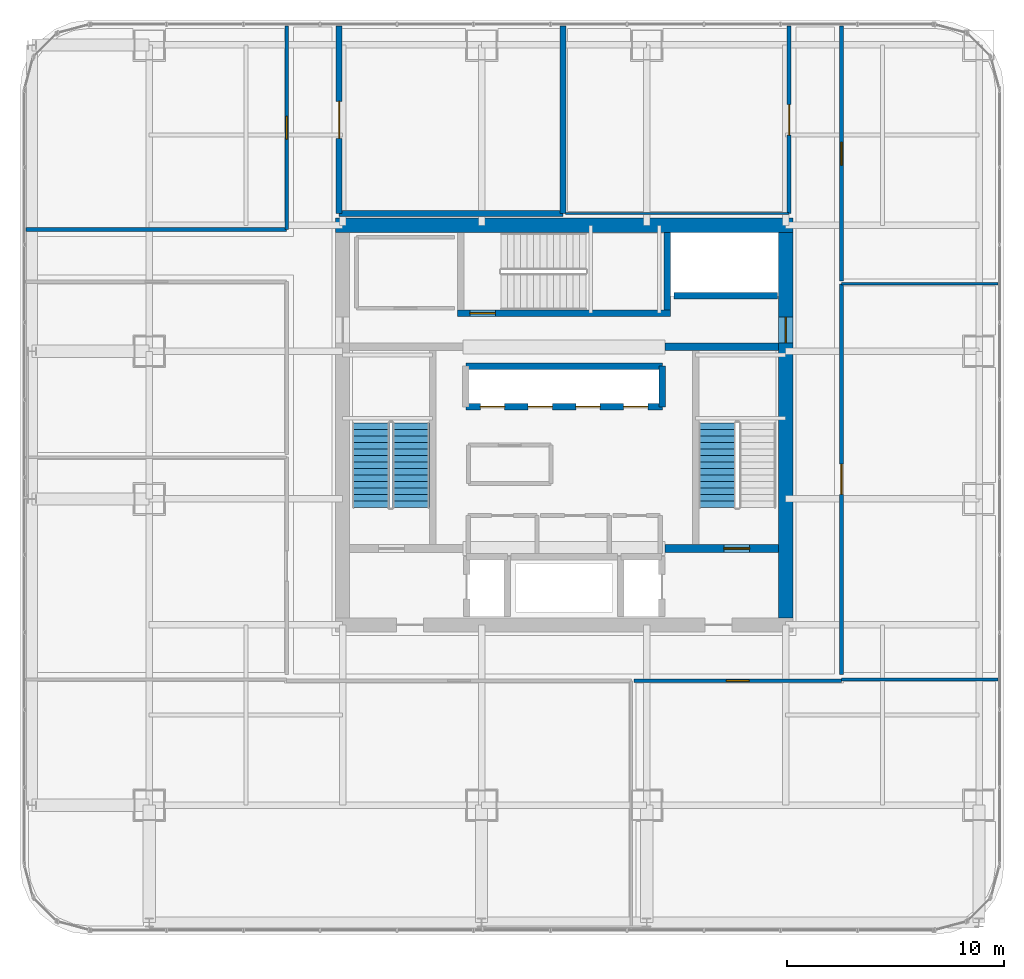
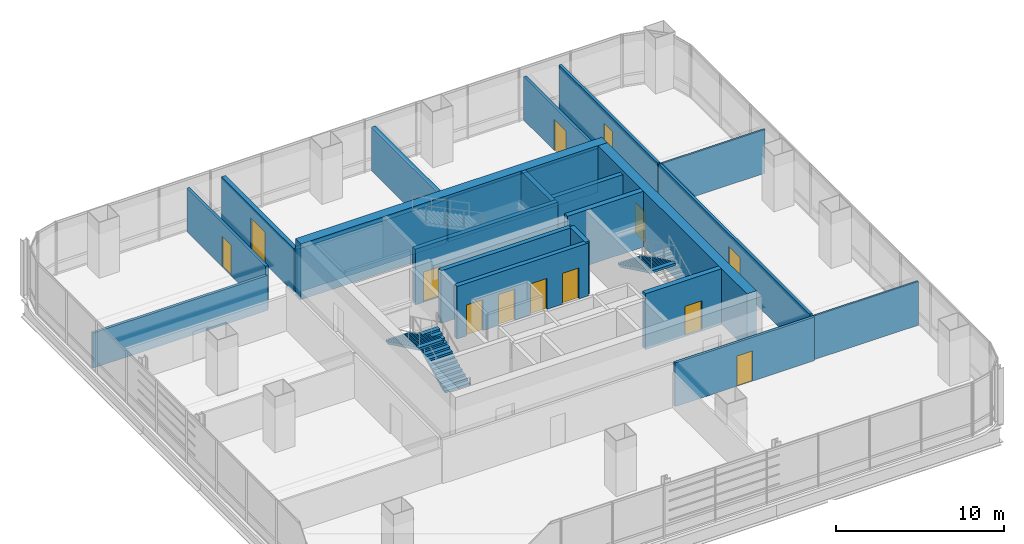
# One storey, part 30 of 36: 22 walls, 13 doors, 3 stair flights, 13 openings, 2 elements without a shape of their own.
"""IFC4 building model written with IfcOpenShell, lengths in metres."""

from ifc_helpers import new_model, si_unit, direction, frame, frame_2d, origin, place, context, subcontext, project, spatial, polyline, rectangle, outline, extrude, material, layer, layer_set, type_object, element, fill, aggregate, save


model = new_model("IFC4")

# Units and contexts
model_context = context("Model", 3, precision=1e-05, world=origin(), true_north=direction((0.0, 1.0)))
body_context = subcontext(model_context, "Body", "Model", "MODEL_VIEW")
ifc_project = project(units=[si_unit("LENGTHUNIT", "METRE"), si_unit("AREAUNIT", "SQUARE_METRE"), si_unit("VOLUMEUNIT", "CUBIC_METRE"), si_unit("PLANEANGLEUNIT", "RADIAN"), si_unit("MASSUNIT", "GRAM", prefix="KILO")], contexts=[model_context])

# Site, building, storey
site_placement = place(None, origin())
site = spatial("IfcSite", under=ifc_project, at=site_placement, CompositionType="ELEMENT")
building_placement = place(site_placement, origin())
building = spatial("IfcBuilding", under=site, at=building_placement, Name="Punatoya Terracotta Tower", CompositionType="ELEMENT")
storey_placement = place(building_placement, frame((0.0, 0.0, 184.35009765625)))
storey = spatial("IfcBuildingStorey", under=building, at=storey_placement, Name="L43", CompositionType="ELEMENT", Elevation=184.35009765625)

# Walls
ifc_material_1 = material(Name="Concrete C40/50", Category="concrete")
ifc_layer_1 = layer(ifc_material_1, 0.280029296875)
ifc_layer_set_1 = layer_set([ifc_layer_1], Name="Concrete C40/50")
wall_type_1 = type_object("IfcWallType", Name="WL-AUD-280", PredefinedType="SOLIDWALL", material=ifc_layer_set_1)
wall_1_placement = place(storey_placement, frame((-0.06005859375, 18.3701171875, 0.0), z_axis=(0.0, 0.0, 1.0), x_axis=(0.0, -1.0, 0.0)))
element("IfcWall", 1, at=wall_1_placement, inside=storey, type_object=wall_type_1, Name="L43 Open-Plan Fitness Movement Lounge Partition 29", PredefinedType="SOLIDWALL", context=body_context, shape_type="SweptSolid", body=[
    extrude(rectangle(XDim=8.630126953125, YDim=0.280029296875, at=frame_2d((4.31494140625, 0.0))), origin(), (0.0, 0.0, 1.0), 3.173828125),
])
wall_2_placement = place(storey_placement, frame((-0.06005859375, 9.739990234375, 0.0), z_axis=(0.0, 0.0, 1.0), x_axis=(-1.0, 0.0, 0.0)))
element("IfcWall", 2, at=wall_2_placement, inside=storey, type_object=wall_type_1, Name="L43 Open-Plan Fitness Movement Lounge Partition 30", PredefinedType="SOLIDWALL", context=body_context, shape_type="SweptSolid", body=[
    extrude(rectangle(XDim=10.300048828125, YDim=0.280029296875, at=frame_2d((5.14990234375, 0.0))), origin(), (0.0, 0.0, 1.0), 3.173828125),
])

# Wall, opening, door
wall_3_placement = place(storey_placement, frame((-10.360107421875, 9.739990234375, 0.0), z_axis=(0.0, 0.0, 1.0), x_axis=(0.0, 1.0, 0.0)))
wall_3 = element("IfcWall", 3, at=wall_3_placement, inside=storey, type_object=wall_type_1, Name="L43 Open-Plan Fitness Movement Lounge Partition 31", PredefinedType="SOLIDWALL", context=body_context, shape_type="SweptSolid", body=[
    extrude(rectangle(XDim=8.630126953125, YDim=0.280029296875, at=frame_2d((4.31494140625, 0.0))), origin(), (0.0, 0.0, 1.0), 3.173828125),
])
opening_1_placement = place(wall_3_placement, frame((3.465087890625, 0.0, 0.0)))
opening_1 = element("IfcOpeningElement", 4, at=opening_1_placement, cuts=wall_3, Name="Opening FD-D1", PredefinedType="OPENING", context=body_context, shape_type="SweptSolid", body=[
    extrude(rectangle(XDim=1.699951171875, YDim=2.300048828125, at=frame_2d((0.85009765625, 1.14990234375))), frame((0.0, 0.14990234375, 0.0), z_axis=(0.0, -1.0, 0.0), x_axis=(1.0, 0.0, 0.0)), (0.0, 0.0, 1.0), 0.300048828125),
])
ifc_material_2 = material(Name="Timber Teak Veneer Fire Leaf", Category="wood")
door_type_1 = type_object("IfcDoorType", Name="DR-DIN-1700", OperationType="NOTDEFINED", PredefinedType="DOOR", material=ifc_material_2)
door_1_placement = place(opening_1_placement, origin())
door_1 = element("IfcDoor", 5, at=door_1_placement, inside=storey, type_object=door_type_1, Name="L43 Open-Plan Fitness Movement Lounge Fire Door", OperationType="DOUBLE_DOOR_SINGLE_SWING", OverallHeight=2.300048828125, OverallWidth=1.699951171875, PredefinedType="DOOR", context=body_context, shape_type="SweptSolid", body=[
    extrude(rectangle(XDim=1.699951171875, YDim=2.300048828125, at=frame_2d((0.85009765625, 1.14990234375))), frame((0.0, 0.02490234375, 0.0), z_axis=(0.0, -1.0, 0.0), x_axis=(1.0, 0.0, 0.0)), (0.0, 0.0, 1.0), 0.050048828125),
])
fill(opening_1, door_1)

# Wall
ifc_material_3 = material(Name="Concrete C60/75", Category="concrete")
ifc_layer_2 = layer(ifc_material_3, 0.64990234375)
ifc_layer_set_2 = layer_set([ifc_layer_2], Name="Concrete C60/75")
wall_type_2 = type_object("IfcWallType", Name="WL-COR-650", PredefinedType="SHEAR", material=ifc_layer_set_2)
wall_4_placement = place(storey_placement, frame((-10.52490234375, 9.199951171875, 0.0), z_axis=(0.0, 0.0, 1.0), x_axis=(1.0, 0.0, 0.0)))
element("IfcWall", 6, at=wall_4_placement, inside=storey, type_object=wall_type_2, Name="L43 Core Shear Wall N", PredefinedType="SHEAR", context=body_context, shape_type="SweptSolid", body=[
    extrude(rectangle(XDim=21.0498046875, YDim=0.64990234375, at=frame_2d((10.52490234375, 0.0))), origin(), (0.0, 0.0, 1.0), 4.0498046875),
])

# Wall, opening, door
wall_5_placement = place(storey_placement, frame((10.199951171875, 8.875, 0.0), z_axis=(0.0, 0.0, 1.0), x_axis=(0.0, -1.0, 0.0)))
wall_5 = element("IfcWall", 7, at=wall_5_placement, inside=storey, type_object=wall_type_2, Name="L43 Core Shear Wall E", PredefinedType="SHEAR", context=body_context, shape_type="SweptSolid", body=[
    extrude(rectangle(XDim=17.75, YDim=0.64990234375, at=frame_2d((8.875, 0.0))), origin(), (0.0, 0.0, 1.0), 4.0498046875),
])
opening_2_placement = place(wall_5_placement, frame((3.905029296875, 0.0, 0.0)))
opening_2 = element("IfcOpeningElement", 8, at=opening_2_placement, cuts=wall_5, Name="Opening SD-01", PredefinedType="OPENING", context=body_context, shape_type="SweptSolid", body=[
    extrude(rectangle(XDim=1.179931640625, YDim=2.199951171875, at=frame_2d((0.58984375, 1.10009765625))), frame((0.0, 0.3349609375, 0.0), z_axis=(0.0, -1.0, 0.0), x_axis=(1.0, 0.0, 0.0)), (0.0, 0.0, 1.0), 0.669921875),
])
ifc_material_4 = material(Name="Galvanised Steel Pressurized Stair Fire Door", Category="steel")
door_type_2 = type_object("IfcDoorType", Name="DR-STR-1180", OperationType="NOTDEFINED", PredefinedType="DOOR", material=ifc_material_4)
door_2_placement = place(opening_2_placement, origin())
door_2 = element("IfcDoor", 9, at=door_2_placement, inside=storey, type_object=door_type_2, Name="L43 Central Lift Lobby East Fire Door", OperationType="SINGLE_SWING_RIGHT", OverallHeight=2.199951171875, OverallWidth=1.179931640625, PredefinedType="DOOR", context=body_context, shape_type="SweptSolid", body=[
    extrude(rectangle(XDim=1.179931640625, YDim=2.199951171875, at=frame_2d((0.58984375, 1.10009765625))), frame((0.0, 0.02490234375, 0.0), z_axis=(0.0, -1.0, 0.0), x_axis=(1.0, 0.0, 0.0)), (0.0, 0.0, 1.0), 0.050048828125),
])
fill(opening_2, door_2)

ifc_material_5 = material(Name="Gypsum Fireboard + Steel Stud", Category="steel")
ifc_layer_3 = layer(ifc_material_5, 0.179931640625)
ifc_layer_set_3 = layer_set([ifc_layer_3], Name="Gypsum Fireboard + Steel Stud")
wall_type_3 = type_object("IfcWallType", Name="WL-CORR-180", PredefinedType="PARTITIONING", material=ifc_layer_set_3)
wall_6_placement = place(storey_placement, frame((3.216064453125, -11.77001953125, 0.0), z_axis=(0.0, 0.0, 1.0), x_axis=(1.0, 0.0, 0.0)))
wall_6 = element("IfcWall", 10, at=wall_6_placement, inside=storey, type_object=wall_type_3, Name="L43 Occupational Rest Lounge Partition 19", PredefinedType="PARTITIONING", context=body_context, shape_type="SweptSolid", body=[
    extrude(rectangle(XDim=9.553955078125, YDim=0.179931640625, at=frame_2d((4.77685546875, 0.0))), origin(), (0.0, 0.0, 1.0), 3.173828125),
])
opening_3_placement = place(wall_6_placement, frame((4.251953125, 0.0, 0.0)))
opening_3 = element("IfcOpeningElement", 11, at=opening_3_placement, cuts=wall_6, Name="Opening OD-01", PredefinedType="OPENING", context=body_context, shape_type="SweptSolid", body=[
    extrude(rectangle(XDim=1.050048828125, YDim=2.199951171875, at=frame_2d((0.52490234375, 1.10009765625))), frame((0.0, 0.099853515625, 0.0), z_axis=(0.0, -1.0, 0.0), x_axis=(1.0, 0.0, 0.0)), (0.0, 0.0, 1.0), 0.199951171875),
])
ifc_material_6 = material(Name="Bengal Teak Solid-Core Leaf")
door_type_3 = type_object("IfcDoorType", Name="DR-OFF-1050", OperationType="NOTDEFINED", PredefinedType="DOOR", material=ifc_material_6)
door_3_placement = place(opening_3_placement, origin())
door_3 = element("IfcDoor", 12, at=door_3_placement, inside=storey, type_object=door_type_3, Name="L43 Occupational Rest Lounge Door", OperationType="SINGLE_SWING_RIGHT", OverallHeight=2.199951171875, OverallWidth=1.050048828125, PredefinedType="DOOR", context=body_context, shape_type="SweptSolid", body=[
    extrude(rectangle(XDim=1.050048828125, YDim=2.199951171875, at=frame_2d((0.52490234375, 1.10009765625))), frame((0.0, 0.02490234375, 0.0), z_axis=(0.0, -1.0, 0.0), x_axis=(1.0, 0.0, 0.0)), (0.0, 0.0, 1.0), 0.050048828125),
])
fill(opening_3, door_3)

wall_7_placement = place(storey_placement, frame((12.77001953125, -11.489990234375, 0.0), z_axis=(0.0, 0.0, 1.0), x_axis=(0.0, 1.0, 0.0)))
wall_7 = element("IfcWall", 13, at=wall_7_placement, inside=storey, type_object=wall_type_3, Name="L43 Open-Plan Leadership Training Classroom Partition 23", PredefinedType="PARTITIONING", context=body_context, shape_type="SweptSolid", body=[
    extrude(rectangle(XDim=17.992919921875, YDim=0.179931640625, at=frame_2d((8.99658203125, 0.0))), origin(), (0.0, 0.0, 1.0), 3.173828125),
])
opening_4_placement = place(wall_7_placement, frame((8.29638671875, 0.0, 0.0)))
opening_4 = element("IfcOpeningElement", 14, at=opening_4_placement, cuts=wall_7, Name="Opening BD-01", PredefinedType="OPENING", context=body_context, shape_type="SweptSolid", body=[
    extrude(rectangle(XDim=1.39990234375, YDim=2.25, at=frame_2d((0.699951171875, 1.125))), frame((0.0, 0.099853515625, 0.0), z_axis=(0.0, -1.0, 0.0), x_axis=(1.0, 0.0, 0.0)), (0.0, 0.0, 1.0), 0.199951171875),
])
ifc_material_7 = material(Name="Bengal Teak Acoustic Leaf")
door_type_4 = type_object("IfcDoorType", Name="DR-BRD-1400", OperationType="NOTDEFINED", PredefinedType="DOOR", material=ifc_material_7)
door_4_placement = place(opening_4_placement, origin())
door_4 = element("IfcDoor", 15, at=door_4_placement, inside=storey, type_object=door_type_4, Name="L43 Open-Plan Leadership Training Classroom Door", OperationType="SINGLE_SWING_RIGHT", OverallHeight=2.25, OverallWidth=1.39990234375, PredefinedType="DOOR", context=body_context, shape_type="SweptSolid", body=[
    extrude(rectangle(XDim=1.39990234375, YDim=2.25, at=frame_2d((0.699951171875, 1.125))), frame((0.0, 0.02490234375, 0.0), z_axis=(0.0, -1.0, 0.0), x_axis=(1.0, 0.0, 0.0)), (0.0, 0.0, 1.0), 0.050048828125),
])
fill(opening_4, door_4)

wall_8_placement = place(storey_placement, frame((12.77001953125, 6.623046875, 0.0), z_axis=(0.0, 0.0, 1.0), x_axis=(0.0, 1.0, 0.0)))
wall_8 = element("IfcWall", 16, at=wall_8_placement, inside=storey, type_object=wall_type_3, Name="L43 Open-Plan Mindfulness Wellness Room Partition 26", PredefinedType="PARTITIONING", context=body_context, shape_type="SweptSolid", body=[
    extrude(rectangle(XDim=11.7470703125, YDim=0.179931640625, at=frame_2d((5.87353515625, 0.0))), origin(), (0.0, 0.0, 1.0), 3.173828125),
])
opening_5_placement = place(wall_8_placement, frame((5.348388671875, 0.0, 0.0)))
opening_5 = element("IfcOpeningElement", 17, at=opening_5_placement, cuts=wall_8, Name="Opening OD-01", PredefinedType="OPENING", context=body_context, shape_type="SweptSolid", body=[
    extrude(rectangle(XDim=1.050048828125, YDim=2.199951171875, at=frame_2d((0.52490234375, 1.10009765625))), frame((0.0, 0.099853515625, 0.0), z_axis=(0.0, -1.0, 0.0), x_axis=(1.0, 0.0, 0.0)), (0.0, 0.0, 1.0), 0.199951171875),
])
door_5_placement = place(opening_5_placement, origin())
door_5 = element("IfcDoor", 18, at=door_5_placement, inside=storey, type_object=door_type_3, Name="L43 Open-Plan Mindfulness Wellness Room Door", OperationType="SINGLE_SWING_RIGHT", OverallHeight=2.199951171875, OverallWidth=1.050048828125, PredefinedType="DOOR", context=body_context, shape_type="SweptSolid", body=[
    extrude(rectangle(XDim=1.050048828125, YDim=2.199951171875, at=frame_2d((0.52490234375, 1.10009765625))), frame((0.0, 0.02490234375, 0.0), z_axis=(0.0, -1.0, 0.0), x_axis=(1.0, 0.0, 0.0)), (0.0, 0.0, 1.0), 0.050048828125),
])
fill(opening_5, door_5)

wall_9_placement = place(storey_placement, frame((-12.77001953125, 18.3701171875, 0.0), z_axis=(0.0, 0.0, 1.0), x_axis=(0.0, -1.0, 0.0)))
wall_9 = element("IfcWall", 19, at=wall_9_placement, inside=storey, type_object=wall_type_3, Name="L43 Open-Plan Cultural Reading Library Partition 27", PredefinedType="PARTITIONING", context=body_context, shape_type="SweptSolid", body=[
    extrude(rectangle(XDim=9.3701171875, YDim=0.179931640625, at=frame_2d((4.68505859375, 0.0))), origin(), (0.0, 0.0, 1.0), 3.173828125),
])
opening_6_placement = place(wall_9_placement, frame((4.159912109375, 0.0, 0.0)))
opening_6 = element("IfcOpeningElement", 20, at=opening_6_placement, cuts=wall_9, Name="Opening OD-01", PredefinedType="OPENING", context=body_context, shape_type="SweptSolid", body=[
    extrude(rectangle(XDim=1.050048828125, YDim=2.199951171875, at=frame_2d((0.52490234375, 1.10009765625))), frame((0.0, 0.099853515625, 0.0), z_axis=(0.0, -1.0, 0.0), x_axis=(1.0, 0.0, 0.0)), (0.0, 0.0, 1.0), 0.199951171875),
])
door_6_placement = place(opening_6_placement, origin())
door_6 = element("IfcDoor", 21, at=door_6_placement, inside=storey, type_object=door_type_3, Name="L43 Open-Plan Cultural Reading Library Door", OperationType="SINGLE_SWING_LEFT", OverallHeight=2.199951171875, OverallWidth=1.050048828125, PredefinedType="DOOR", context=body_context, shape_type="SweptSolid", body=[
    extrude(rectangle(XDim=1.050048828125, YDim=2.199951171875, at=frame_2d((0.52490234375, 1.10009765625))), frame((0.0, 0.02490234375, 0.0), z_axis=(0.0, -1.0, 0.0), x_axis=(1.0, 0.0, 0.0)), (0.0, 0.0, 1.0), 0.050048828125),
])
fill(opening_6, door_6)

# Wall
wall_10_placement = place(storey_placement, frame((-12.77001953125, 9.0, 0.0), z_axis=(0.0, 0.0, 1.0), x_axis=(-1.0, 0.0, 0.0)))
element("IfcWall", 22, at=wall_10_placement, inside=storey, type_object=wall_type_3, Name="L43 Open-Plan Cultural Reading Library Partition 28", PredefinedType="PARTITIONING", context=body_context, shape_type="SweptSolid", body=[
    extrude(rectangle(XDim=12.0, YDim=0.179931640625, at=frame_2d((6.0, 0.0))), origin(), (0.0, 0.0, 1.0), 2.5439453125),
])

# Wall, opening, door
wall_11_placement = place(storey_placement, frame((10.360107421875, 18.3701171875, 0.0), z_axis=(0.0, 0.0, 1.0), x_axis=(0.0, -1.0, 0.0)))
wall_11 = element("IfcWall", 23, at=wall_11_placement, inside=storey, type_object=wall_type_3, Name="L43 Open-Plan Seminar Discussion Room Partition 33", PredefinedType="PARTITIONING", context=body_context, shape_type="SweptSolid", body=[
    extrude(rectangle(XDim=8.630126953125, YDim=0.179931640625, at=frame_2d((4.31494140625, 0.0))), origin(), (0.0, 0.0, 1.0), 3.173828125),
])
opening_7_placement = place(wall_11_placement, frame((3.614990234375, 0.0, 0.0)))
opening_7 = element("IfcOpeningElement", 24, at=opening_7_placement, cuts=wall_11, Name="Opening BD-01", PredefinedType="OPENING", context=body_context, shape_type="SweptSolid", body=[
    extrude(rectangle(XDim=1.39990234375, YDim=2.25, at=frame_2d((0.699951171875, 1.125))), frame((0.0, 0.099853515625, 0.0), z_axis=(0.0, -1.0, 0.0), x_axis=(1.0, 0.0, 0.0)), (0.0, 0.0, 1.0), 0.199951171875),
])
door_7_placement = place(opening_7_placement, origin())
door_7 = element("IfcDoor", 25, at=door_7_placement, inside=storey, type_object=door_type_4, Name="L43 Open-Plan Seminar Discussion Room Door", OperationType="SINGLE_SWING_LEFT", OverallHeight=2.25, OverallWidth=1.39990234375, PredefinedType="DOOR", context=body_context, shape_type="SweptSolid", body=[
    extrude(rectangle(XDim=1.39990234375, YDim=2.25, at=frame_2d((0.699951171875, 1.125))), frame((0.0, 0.02490234375, 0.0), z_axis=(0.0, -1.0, 0.0), x_axis=(1.0, 0.0, 0.0)), (0.0, 0.0, 1.0), 0.050048828125),
])
fill(opening_7, door_7)

# Walls
ifc_material_8 = material(Name="Aluminium Framed Acoustic Glass Partition", Category="aluminium")
ifc_layer_4 = layer(ifc_material_8, 0.10009765625)
ifc_layer_set_4 = layer_set([ifc_layer_4], Name="Aluminium Framed Acoustic Glass Partition")
wall_type_4 = type_object("IfcWallType", Name="WL-GLZ-100", PredefinedType="PARTITIONING", material=ifc_layer_set_4)
wall_12_placement = place(storey_placement, frame((10.360107421875, 9.739990234375, 0.0), z_axis=(0.0, 0.0, 1.0), x_axis=(-1.0, 0.0, 0.0)))
element("IfcWall", 26, at=wall_12_placement, inside=storey, type_object=wall_type_4, Name="L43 Open-Plan Seminar Discussion Room Partition 32", PredefinedType="PARTITIONING", context=body_context, shape_type="SweptSolid", body=[
    extrude(rectangle(XDim=10.300048828125, YDim=0.10009765625, at=frame_2d((5.14990234375, 0.0))), origin(), (0.0, 0.0, 1.0), 3.173828125),
])
ifc_material_9 = material(Name="Gypsum Partition + Steel Stud", Category="steel")
ifc_layer_5 = layer(ifc_material_9, 0.1201171875)
ifc_layer_set_5 = layer_set([ifc_layer_5], Name="Gypsum Partition + Steel Stud")
wall_type_5 = type_object("IfcWallType", Name="WL-OFF-120", PredefinedType="PARTITIONING", material=ifc_layer_set_5)
for number, where, z_axis, x_axis, name in (
    (27, (12.77001953125, -11.7099609375, 0.0), (0.0, 0.0, 1.0), (1.0, 0.0, 0.0), "L43 Occupational Rest Lounge Partition 18"),
    (28, (12.77001953125, 6.5029296875, 0.0), (0.0, 0.0, 1.0), (1.0, 0.0, 0.0), "L43 Open-Plan Leadership Training Classroom Partition 22"),
):
    element("IfcWall", number, at=place(storey_placement, frame(where, z_axis=z_axis, x_axis=x_axis)), inside=storey, type_object=wall_type_5, Name=name, PredefinedType="PARTITIONING", context=body_context, shape_type="SweptSolid", body=[
        extrude(rectangle(XDim=7.199951171875, YDim=0.1201171875, at=frame_2d((3.60009765625, 0.0))), origin(), (0.0, 0.0, 1.0), 3.173828125),
    ])
ifc_layer_6 = layer(ifc_material_1, 0.300048828125)
ifc_layer_set_6 = layer_set([ifc_layer_6], Name="Concrete C40/50")
wall_type_6 = type_object("IfcWallType", Name="WL-SHF-300", PredefinedType="SOLIDWALL", material=ifc_layer_set_6)
wall_13_placement = place(storey_placement, frame((4.75, 8.875, 0.0), z_axis=(0.0, 0.0, 1.0), x_axis=(0.0, -1.0, 0.0)))
element("IfcWall", 29, at=wall_13_placement, inside=storey, type_object=wall_type_6, Name="L43 Structural Stair Shaft Wall SW-ST3-E", PredefinedType="SOLIDWALL", context=body_context, shape_type="SweptSolid", body=[
    extrude(rectangle(XDim=3.574951171875, YDim=0.300048828125, at=frame_2d((1.78759765625, 0.0))), origin(), (0.0, 0.0, 1.0), 4.0498046875),
])

# Wall, opening, door
wall_14_placement = place(storey_placement, frame((-4.89990234375, 5.14990234375, 0.0), z_axis=(0.0, 0.0, 1.0), x_axis=(1.0, 0.0, 0.0)))
wall_14 = element("IfcWall", 30, at=wall_14_placement, inside=storey, type_object=wall_type_6, Name="L43 Structural Stair Shaft Wall SW-ST3-S", PredefinedType="SOLIDWALL", context=body_context, shape_type="SweptSolid", body=[
    extrude(rectangle(XDim=9.7998046875, YDim=0.300048828125, at=frame_2d((4.89990234375, 0.0))), origin(), (0.0, 0.0, 1.0), 4.0498046875),
])
opening_8_placement = place(wall_14_placement, frame((0.56005859375, 0.0, 0.0)))
opening_8 = element("IfcOpeningElement", 31, at=opening_8_placement, cuts=wall_14, Name="Opening SD-01", PredefinedType="OPENING", context=body_context, shape_type="SweptSolid", body=[
    extrude(rectangle(XDim=1.179931640625, YDim=2.199951171875, at=frame_2d((0.58984375, 1.10009765625))), frame((0.0, 0.159912109375, 0.0), z_axis=(0.0, -1.0, 0.0), x_axis=(1.0, 0.0, 0.0)), (0.0, 0.0, 1.0), 0.320068359375),
])
door_8_placement = place(opening_8_placement, origin())
door_8 = element("IfcDoor", 32, at=door_8_placement, inside=storey, type_object=door_type_2, Name="L43 Stair ST-3 Core Lobby Fire Door", OperationType="SINGLE_SWING_LEFT", OverallHeight=2.199951171875, OverallWidth=1.179931640625, PredefinedType="DOOR", context=body_context, shape_type="SweptSolid", body=[
    extrude(rectangle(XDim=1.179931640625, YDim=2.199951171875, at=frame_2d((0.58984375, 1.10009765625))), frame((0.0, 0.02490234375, 0.0), z_axis=(0.0, -1.0, 0.0), x_axis=(1.0, 0.0, 0.0)), (0.0, 0.0, 1.0), 0.050048828125),
])
fill(opening_8, door_8)

# Wall, openings, doors
wall_15_placement = place(storey_placement, frame((-4.52001953125, 0.840087890625, 0.0), z_axis=(0.0, 0.0, 1.0), x_axis=(1.0, 0.0, 0.0)))
wall_15 = element("IfcWall", 33, at=wall_15_placement, inside=storey, type_object=wall_type_6, Name="L43 North Lift Bank Front Shaft Wall", PredefinedType="SOLIDWALL", context=body_context, shape_type="SweptSolid", body=[
    extrude(rectangle(XDim=9.0400390625, YDim=0.300048828125, at=frame_2d((4.52001953125, 0.0))), origin(), (0.0, 0.0, 1.0), 3.829833984375),
])
opening_9_placement = place(wall_15_placement, frame((0.659912109375, 0.0, 0.0)))
opening_9 = element("IfcOpeningElement", 34, at=opening_9_placement, cuts=wall_15, Name="Opening LD-02", PredefinedType="OPENING", context=body_context, shape_type="SweptSolid", body=[
    extrude(rectangle(XDim=1.1201171875, YDim=2.25, at=frame_2d((0.56005859375, 1.125))), frame((0.0, 0.159912109375, 0.0), z_axis=(0.0, -1.0, 0.0), x_axis=(1.0, 0.0, 0.0)), (0.0, 0.0, 1.0), 0.320068359375),
])
opening_10_placement = place(wall_15_placement, frame((2.860107421875, 0.0, 0.0)))
opening_10 = element("IfcOpeningElement", 35, at=opening_10_placement, cuts=wall_15, Name="Opening LD-02", PredefinedType="OPENING", context=body_context, shape_type="SweptSolid", body=[
    extrude(rectangle(XDim=1.1201171875, YDim=2.25, at=frame_2d((0.56005859375, 1.125))), frame((0.0, 0.159912109375, 0.0), z_axis=(0.0, -1.0, 0.0), x_axis=(1.0, 0.0, 0.0)), (0.0, 0.0, 1.0), 0.320068359375),
])
opening_11_placement = place(wall_15_placement, frame((5.06005859375, 0.0, 0.0)))
opening_11 = element("IfcOpeningElement", 36, at=opening_11_placement, cuts=wall_15, Name="Opening LD-02", PredefinedType="OPENING", context=body_context, shape_type="SweptSolid", body=[
    extrude(rectangle(XDim=1.1201171875, YDim=2.25, at=frame_2d((0.56005859375, 1.125))), frame((0.0, 0.159912109375, 0.0), z_axis=(0.0, -1.0, 0.0), x_axis=(1.0, 0.0, 0.0)), (0.0, 0.0, 1.0), 0.320068359375),
])
opening_12_placement = place(wall_15_placement, frame((7.260009765625, 0.0, 0.0)))
opening_12 = element("IfcOpeningElement", 37, at=opening_12_placement, cuts=wall_15, Name="Opening LD-02", PredefinedType="OPENING", context=body_context, shape_type="SweptSolid", body=[
    extrude(rectangle(XDim=1.1201171875, YDim=2.25, at=frame_2d((0.56005859375, 1.125))), frame((0.0, 0.159912109375, 0.0), z_axis=(0.0, -1.0, 0.0), x_axis=(1.0, 0.0, 0.0)), (0.0, 0.0, 1.0), 0.320068359375),
])
ifc_material_10 = material(Name="Stainless Steel Lift Landing Door", Category="steel")
door_type_5 = type_object("IfcDoorType", Name="DR-LND-1120", OperationType="NOTDEFINED", PredefinedType="DOOR", material=ifc_material_10)
door_9_placement = place(opening_9_placement, origin())
door_9 = element("IfcDoor", 38, at=door_9_placement, inside=storey, type_object=door_type_5, Name="L43 Lift PL-M1 Sliding Landing Door", OperationType="DOUBLE_DOOR_SLIDING", OverallHeight=2.25, OverallWidth=1.1201171875, PredefinedType="DOOR", context=body_context, shape_type="SweptSolid", body=[
    extrude(rectangle(XDim=1.1201171875, YDim=2.25, at=frame_2d((0.56005859375, 1.125))), frame((0.0, 0.02490234375, 0.0), z_axis=(0.0, -1.0, 0.0), x_axis=(1.0, 0.0, 0.0)), (0.0, 0.0, 1.0), 0.050048828125),
])
fill(opening_9, door_9)
door_10_placement = place(opening_10_placement, origin())
door_10 = element("IfcDoor", 39, at=door_10_placement, inside=storey, type_object=door_type_5, Name="L43 Lift PL-M2 Sliding Landing Door", OperationType="DOUBLE_DOOR_SLIDING", OverallHeight=2.25, OverallWidth=1.1201171875, PredefinedType="DOOR", context=body_context, shape_type="SweptSolid", body=[
    extrude(rectangle(XDim=1.1201171875, YDim=2.25, at=frame_2d((0.56005859375, 1.125))), frame((0.0, 0.02490234375, 0.0), z_axis=(0.0, -1.0, 0.0), x_axis=(1.0, 0.0, 0.0)), (0.0, 0.0, 1.0), 0.050048828125),
])
fill(opening_10, door_10)
door_11_placement = place(opening_11_placement, origin())
door_11 = element("IfcDoor", 40, at=door_11_placement, inside=storey, type_object=door_type_5, Name="L43 Lift PL-M3 Sliding Landing Door", OperationType="DOUBLE_DOOR_SLIDING", OverallHeight=2.25, OverallWidth=1.1201171875, PredefinedType="DOOR", context=body_context, shape_type="SweptSolid", body=[
    extrude(rectangle(XDim=1.1201171875, YDim=2.25, at=frame_2d((0.56005859375, 1.125))), frame((0.0, 0.02490234375, 0.0), z_axis=(0.0, -1.0, 0.0), x_axis=(1.0, 0.0, 0.0)), (0.0, 0.0, 1.0), 0.050048828125),
])
fill(opening_11, door_11)
door_12_placement = place(opening_12_placement, origin())
door_12 = element("IfcDoor", 41, at=door_12_placement, inside=storey, type_object=door_type_5, Name="L43 Lift PL-M4 Sliding Landing Door", OperationType="DOUBLE_DOOR_SLIDING", OverallHeight=2.25, OverallWidth=1.1201171875, PredefinedType="DOOR", context=body_context, shape_type="SweptSolid", body=[
    extrude(rectangle(XDim=1.1201171875, YDim=2.25, at=frame_2d((0.56005859375, 1.125))), frame((0.0, 0.02490234375, 0.0), z_axis=(0.0, -1.0, 0.0), x_axis=(1.0, 0.0, 0.0)), (0.0, 0.0, 1.0), 0.050048828125),
])
fill(opening_12, door_12)

# Walls
wall_16_placement = place(storey_placement, frame((-4.52001953125, 2.719970703125, 0.0), z_axis=(0.0, 0.0, 1.0), x_axis=(1.0, 0.0, 0.0)))
element("IfcWall", 42, at=wall_16_placement, inside=storey, type_object=wall_type_6, Name="L43 North Lift Bank Rear Shaft Wall", PredefinedType="SOLIDWALL", context=body_context, shape_type="SweptSolid", body=[
    extrude(rectangle(XDim=9.0400390625, YDim=0.300048828125, at=frame_2d((4.52001953125, 0.0))), origin(), (0.0, 0.0, 1.0), 3.829833984375),
])
wall_17_placement = place(storey_placement, frame((4.52001953125, 0.840087890625, 0.0), z_axis=(0.0, 0.0, 1.0), x_axis=(0.0, 1.0, 0.0)))
element("IfcWall", 43, at=wall_17_placement, inside=storey, type_object=wall_type_6, Name="L43 North Lift Bank East End Wall", PredefinedType="SOLIDWALL", context=body_context, shape_type="SweptSolid", body=[
    extrude(rectangle(XDim=1.8798828125, YDim=0.300048828125, at=frame_2d((0.93994140625, 0.0))), origin(), (0.0, 0.0, 1.0), 3.829833984375),
])
wall_18_placement = place(storey_placement, frame((5.06005859375, 5.949951171875, 0.0), z_axis=(0.0, 0.0, 1.0), x_axis=(1.0, 0.0, 0.0)))
element("IfcWall", 44, at=wall_18_placement, inside=storey, type_object=wall_type_6, Name="L43 Shuttle SL-2 South Hoistway Wall", PredefinedType="SOLIDWALL", context=body_context, shape_type="SweptSolid", body=[
    extrude(rectangle(XDim=4.760009765625, YDim=0.300048828125, at=frame_2d((2.3798828125, 0.0))), origin(), (0.0, 0.0, 1.0), 3.829833984375),
])

# Wall, opening, door
ifc_material_11 = material(Name="Concrete C50/60", Category="concrete")
ifc_layer_7 = layer(ifc_material_11, 0.35009765625)
ifc_layer_set_7 = layer_set([ifc_layer_7], Name="Concrete C50/60")
wall_type_7 = type_object("IfcWallType", Name="WL-SHF-350", PredefinedType="SOLIDWALL", material=ifc_layer_set_7)
wall_19_placement = place(storey_placement, frame((4.64990234375, -5.679931640625, 0.0), z_axis=(0.0, 0.0, 1.0), x_axis=(1.0, 0.0, 0.0)))
wall_19 = element("IfcWall", 45, at=wall_19_placement, inside=storey, type_object=wall_type_7, Name="L43 Core Web Wall CSW-R", PredefinedType="SOLIDWALL", context=body_context, shape_type="SweptSolid", body=[
    extrude(rectangle(XDim=5.22509765625, YDim=0.35009765625, at=frame_2d((2.612548828125, 0.0))), origin(), (0.0, 0.0, 1.0), 4.0498046875),
])
opening_13_placement = place(wall_19_placement, frame((2.7099609375, 0.0, 0.0)))
opening_13 = element("IfcOpeningElement", 46, at=opening_13_placement, cuts=wall_19, Name="Opening SD-01", PredefinedType="OPENING", context=body_context, shape_type="SweptSolid", body=[
    extrude(rectangle(XDim=1.179931640625, YDim=2.199951171875, at=frame_2d((0.58984375, 1.10009765625))), frame((0.0, 0.18505859375, 0.0), z_axis=(0.0, -1.0, 0.0), x_axis=(1.0, 0.0, 0.0)), (0.0, 0.0, 1.0), 0.3701171875),
])
door_13_placement = place(opening_13_placement, origin())
door_13 = element("IfcDoor", 47, at=door_13_placement, inside=storey, type_object=door_type_2, Name="L43 Stair ST-2 Smokeproof Lobby Fire Door", OperationType="SINGLE_SWING_RIGHT", OverallHeight=2.199951171875, OverallWidth=1.179931640625, PredefinedType="DOOR", context=body_context, shape_type="SweptSolid", body=[
    extrude(rectangle(XDim=1.179931640625, YDim=2.199951171875, at=frame_2d((0.58984375, 1.10009765625))), frame((0.0, 0.02490234375, 0.0), z_axis=(0.0, -1.0, 0.0), x_axis=(1.0, 0.0, 0.0)), (0.0, 0.0, 1.0), 0.050048828125),
])
fill(opening_13, door_13)

# Wall
wall_20_placement = place(storey_placement, frame((4.64990234375, 3.60009765625, 0.0), z_axis=(0.0, 0.0, 1.0), x_axis=(1.0, 0.0, 0.0)))
element("IfcWall", 48, at=wall_20_placement, inside=storey, type_object=wall_type_7, Name="L43 Core Web Wall CNW-R", PredefinedType="SOLIDWALL", context=body_context, shape_type="SweptSolid", body=[
    extrude(rectangle(XDim=5.22509765625, YDim=0.35009765625, at=frame_2d((2.612548828125, 0.0))), origin(), (0.0, 0.0, 1.0), 4.0498046875),
])

# Stair, stair flights
stair_type_1 = type_object("IfcStairType", Name="STR-CORE-1550", PredefinedType="HALF_TURN_STAIR", material=ifc_material_1)
stair_1_placement = place(storey_placement, origin())
stair_1 = element("IfcStair", 49, at=stair_1_placement, inside=storey, type_object=stair_type_1, Name="L43 Protected Core Exit Stair ST-1", PredefinedType="HALF_TURN_STAIR")
stair_flight_type_1 = type_object("IfcStairFlightType", Name="SFL-CORE-1550", PredefinedType="STRAIGHT", material=ifc_material_1)
stair_flight_1_placement = place(storey_placement, frame((-7.050048828125, -3.800048828125, 0.0), z_axis=(0.0, 0.0, 1.0), x_axis=(0.0, 1.0, 0.0)))
stair_flight_1 = element("IfcStairFlight", 50, at=stair_flight_1_placement, type_object=stair_flight_type_1, Name="ST-1 flight 1", NumberOfRisers=14, NumberOfTreads=13, PredefinedType="STRAIGHT", RiserHeight=0.144642857, TreadLength=0.3, context=body_context, shape_type="SweptSolid", body=[
    extrude(outline(polyline([(0.0, 0.0), (0.0, 0.14453125), (0.300048828125, 0.14453125), (0.300048828125, 0.289306640625), (0.60009765625, 0.289306640625), (0.60009765625, 0.433837890625), (0.89990234375, 0.433837890625), (0.89990234375, 0.57861328125), (1.199951171875, 0.57861328125), (1.199951171875, 0.72314453125), (1.5, 0.72314453125), (1.5, 0.867919921875), (1.800048828125, 0.867919921875), (1.800048828125, 1.012451171875), (2.10009765625, 1.012451171875), (2.10009765625, 1.1572265625), (2.39990234375, 1.1572265625), (2.39990234375, 1.3017578125), (2.699951171875, 1.3017578125), (2.699951171875, 1.446533203125), (3.0, 1.446533203125), (3.0, 1.591064453125), (3.300048828125, 1.591064453125), (3.300048828125, 1.735595703125), (3.60009765625, 1.735595703125), (3.60009765625, 1.88037109375), (3.89990234375, 1.88037109375), (3.89990234375, 2.02490234375), (3.89990234375, 1.7138671875), (0.34521484375, 0.0), (0.0, 0.0)])), frame((0.0, 0.85009765625, 0.0), z_axis=(0.0, -1.0, 0.0), x_axis=(1.0, 0.0, 0.0)), (0.0, 0.0, 1.0), 1.699951171875),
])
stair_flight_2_placement = place(storey_placement, frame((-8.89990234375, 0.10009765625, 2.02490234375), z_axis=(0.0, 0.0, 1.0), x_axis=(0.0, -1.0, 0.0)))
stair_flight_2 = element("IfcStairFlight", 51, at=stair_flight_2_placement, type_object=stair_flight_type_1, Name="ST-1 flight 2", NumberOfRisers=14, NumberOfTreads=13, PredefinedType="STRAIGHT", RiserHeight=0.144642857, TreadLength=0.3, context=body_context, shape_type="SweptSolid", body=[
    extrude(outline(polyline([(0.0, 0.0), (0.0, 0.14453125), (0.300048828125, 0.14453125), (0.300048828125, 0.289306640625), (0.60009765625, 0.289306640625), (0.60009765625, 0.433837890625), (0.89990234375, 0.433837890625), (0.89990234375, 0.57861328125), (1.199951171875, 0.57861328125), (1.199951171875, 0.72314453125), (1.5, 0.72314453125), (1.5, 0.867919921875), (1.800048828125, 0.867919921875), (1.800048828125, 1.012451171875), (2.10009765625, 1.012451171875), (2.10009765625, 1.1572265625), (2.39990234375, 1.1572265625), (2.39990234375, 1.3017578125), (2.699951171875, 1.3017578125), (2.699951171875, 1.446533203125), (3.0, 1.446533203125), (3.0, 1.591064453125), (3.300048828125, 1.591064453125), (3.300048828125, 1.735595703125), (3.60009765625, 1.735595703125), (3.60009765625, 1.88037109375), (3.89990234375, 1.88037109375), (3.89990234375, 2.02490234375), (3.89990234375, 1.7138671875), (0.34521484375, 0.0), (0.0, 0.0)])), frame((0.0, 0.85009765625, 0.0), z_axis=(0.0, -1.0, 0.0), x_axis=(1.0, 0.0, 0.0)), (0.0, 0.0, 1.0), 1.699951171875),
])
aggregate(stair_1, [stair_flight_1, stair_flight_2])

# Stair, stair flight
stair_type_2 = type_object("IfcStairType", Name="STR-LOB-1650", PredefinedType="HALF_TURN_STAIR", material=ifc_material_1)
stair_2_placement = place(storey_placement, origin())
stair_2 = element("IfcStair", 52, at=stair_2_placement, inside=storey, type_object=stair_type_2, Name="L43 Protected Core Exit Stair ST-2", PredefinedType="HALF_TURN_STAIR")
stair_flight_type_2 = type_object("IfcStairFlightType", Name="SFL-LOB-1650", PredefinedType="STRAIGHT", material=ifc_material_1)
stair_flight_3_placement = place(storey_placement, frame((7.050048828125, 0.10009765625, 2.02490234375), z_axis=(0.0, 0.0, 1.0), x_axis=(0.0, -1.0, 0.0)))
stair_flight_3 = element("IfcStairFlight", 53, at=stair_flight_3_placement, type_object=stair_flight_type_2, Name="ST-2 flight 2", NumberOfRisers=14, NumberOfTreads=13, PredefinedType="STRAIGHT", RiserHeight=0.144642857, TreadLength=0.3, context=body_context, shape_type="SweptSolid", body=[
    extrude(outline(polyline([(0.0, 0.0), (0.0, 0.14453125), (0.300048828125, 0.14453125), (0.300048828125, 0.289306640625), (0.60009765625, 0.289306640625), (0.60009765625, 0.433837890625), (0.89990234375, 0.433837890625), (0.89990234375, 0.57861328125), (1.199951171875, 0.57861328125), (1.199951171875, 0.72314453125), (1.5, 0.72314453125), (1.5, 0.867919921875), (1.800048828125, 0.867919921875), (1.800048828125, 1.012451171875), (2.10009765625, 1.012451171875), (2.10009765625, 1.1572265625), (2.39990234375, 1.1572265625), (2.39990234375, 1.3017578125), (2.699951171875, 1.3017578125), (2.699951171875, 1.446533203125), (3.0, 1.446533203125), (3.0, 1.591064453125), (3.300048828125, 1.591064453125), (3.300048828125, 1.735595703125), (3.60009765625, 1.735595703125), (3.60009765625, 1.88037109375), (3.89990234375, 1.88037109375), (3.89990234375, 2.02490234375), (3.89990234375, 1.7138671875), (0.34521484375, 0.0), (0.0, 0.0)])), frame((0.0, 0.85009765625, 0.0), z_axis=(0.0, -1.0, 0.0), x_axis=(1.0, 0.0, 0.0)), (0.0, 0.0, 1.0), 1.699951171875),
])
aggregate(stair_2, [stair_flight_3])

save(model, "model.ifc")
